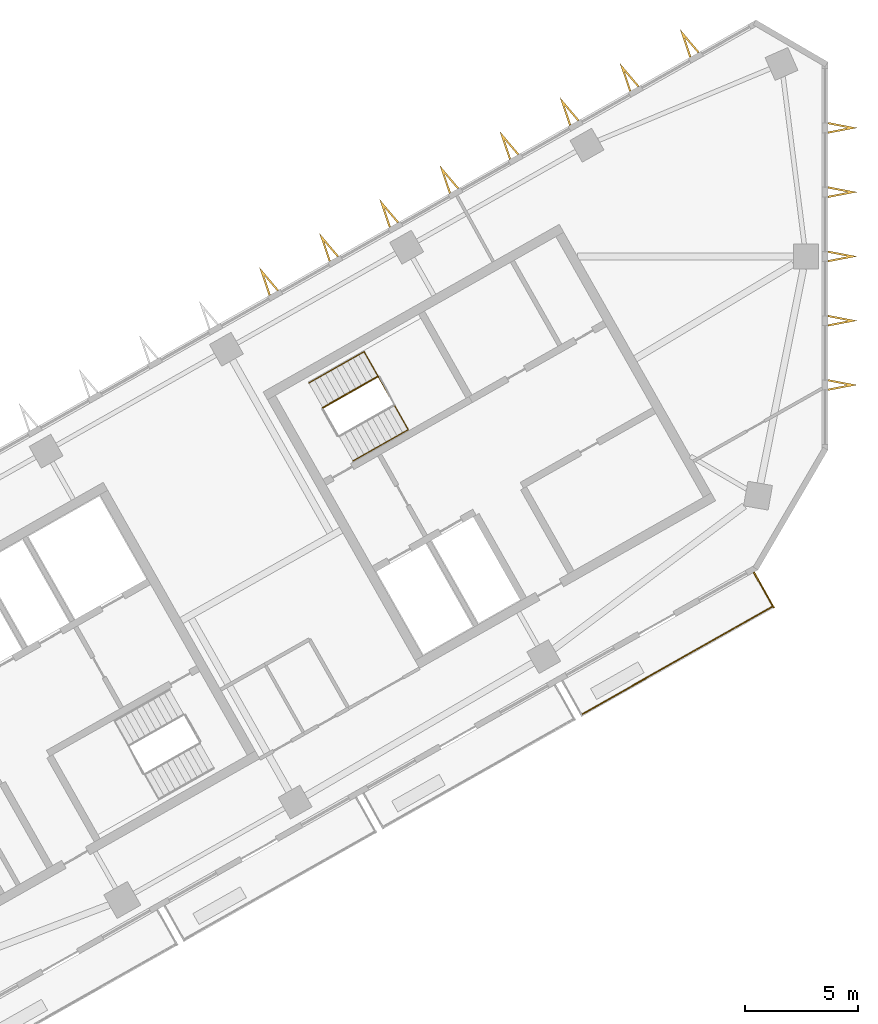
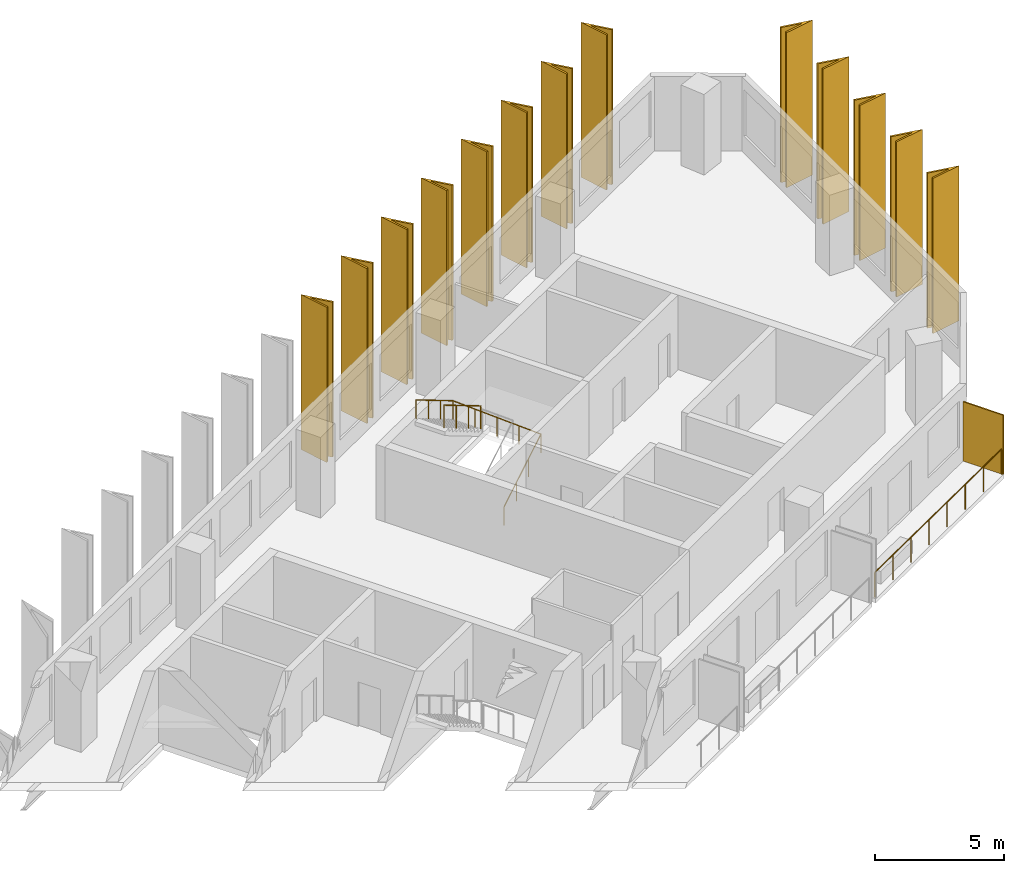
# One storey, part 7 of 8: 14 shading devices, 3 railings.
"""IFC4 building model written with IfcOpenShell, lengths in metres."""

from ifc_helpers import new_model, si_unit, direction, frame, origin, origin_2d, place, context, subcontext, project, spatial, polyline, rectangle, circle, outline, extrude, material, layer, layer_set, type_object, element, save


model = new_model("IFC4")

# Units and contexts
model_context = context("Model", 3, precision=1e-05, world=origin(), true_north=direction((0.0, 1.0)))
body_context = subcontext(model_context, "Body", "Model", "MODEL_VIEW")
ifc_project = project(units=[si_unit("LENGTHUNIT", "METRE"), si_unit("AREAUNIT", "SQUARE_METRE"), si_unit("VOLUMEUNIT", "CUBIC_METRE"), si_unit("PLANEANGLEUNIT", "RADIAN"), si_unit("MASSUNIT", "GRAM", prefix="KILO")], contexts=[model_context])

# Site, building, storey
site_placement = place(None, origin())
site = spatial("IfcSite", under=ifc_project, at=site_placement, CompositionType="ELEMENT")
building_placement = place(site_placement, origin())
building = spatial("IfcBuilding", under=site, at=building_placement, Name="Binnacle Exchange Tower", CompositionType="ELEMENT")
storey_placement = place(building_placement, frame((0.0, 0.0, 300.699951171875)))
storey = spatial("IfcBuildingStorey", under=building, at=storey_placement, Name="L67", CompositionType="ELEMENT", Elevation=300.699951171875)

# Railing
ifc_material_1 = material(Name="Bronze anodised aluminium frame", Category="aluminium")
railing_type_1 = type_object("IfcRailingType", Name="GUARD 1200", PredefinedType="GUARDRAIL", material=ifc_material_1)
railing_1_placement = place(storey_placement, frame((-10.7177734375, 39.81640625, 0.0)))
element("IfcRailing", 1, at=railing_1_placement, inside=storey, type_object=railing_type_1, Name="Balcony guard H07-B03 L67", PredefinedType="GUARDRAIL", context=body_context, shape_type="SweptSolid", body=[
    extrude(circle(Radius=0.02392578125, at=origin_2d()), frame((0.0, 0.0, 1.17578125), z_axis=(0.870353035673, 0.492428262079, 0.0), x_axis=(-0.492428262079, 0.870353035673, 0.0)), (0.0, 0.0, 1.0), 9.64794921875),
    extrude(circle(Radius=0.02099609375, at=origin_2d()), origin(), (0.0, 0.0, 1.0), 1.15185546875),
    extrude(circle(Radius=0.02099609375, at=origin_2d()), frame((1.19970703125, 0.6787109375, 0.0)), (0.0, 0.0, 1.0), 1.15185546875),
    extrude(circle(Radius=0.02099609375, at=origin_2d()), frame((2.399169921875, 1.357421875, 0.0)), (0.0, 0.0, 1.0), 1.15185546875),
    extrude(circle(Radius=0.02099609375, at=origin_2d()), frame((3.598876953125, 2.0361328125, 0.0)), (0.0, 0.0, 1.0), 1.15185546875),
    extrude(circle(Radius=0.02099609375, at=origin_2d()), frame((4.79833984375, 2.71484375, 0.0)), (0.0, 0.0, 1.0), 1.15185546875),
    extrude(circle(Radius=0.02099609375, at=origin_2d()), frame((5.998046875, 3.3935546875, 0.0)), (0.0, 0.0, 1.0), 1.15185546875),
    extrude(circle(Radius=0.02099609375, at=origin_2d()), frame((7.197509765625, 4.072265625, 0.0)), (0.0, 0.0, 1.0), 1.15185546875),
    extrude(circle(Radius=0.02099609375, at=origin_2d()), frame((8.397216796875, 4.7509765625, 0.0)), (0.0, 0.0, 1.0), 1.15185546875),
])

# Shading device
ifc_material_2 = material(Name="Bronze aluminium louvre", Category="aluminium")
ifc_layer = layer(ifc_material_2, 0.06005859375)
ifc_layer_set = layer_set([ifc_layer], Name="PLANTED SCREEN 60x2800")
shading_device_type_1 = type_object("IfcShadingDeviceType", Name="PLANTED SCREEN 60x2800", PredefinedType="USERDEFINED", material=ifc_layer_set)
shading_device_1_placement = place(storey_placement, frame((-2.697998046875, 45.2958984375, 0.0), z_axis=(0.0, 0.0, 1.0), x_axis=(0.87035569594, 0.492423560103, 0.0)))
element("IfcShadingDevice", 2, at=shading_device_1_placement, inside=storey, type_object=shading_device_type_1, Name="Planted screen H07-B03b L67", ObjectType="SCREEN", PredefinedType="USERDEFINED", context=body_context, shape_type="SweptSolid", body=[
    extrude(rectangle(XDim=0.06005859375, YDim=1.800048828125, at=origin_2d()), origin(), (0.0, 0.0, 1.0), 2.800048828125),
])

# Railings
ifc_material_3 = material(Name="Steel guard rail", Category="steel")
railing_type_2 = type_object("IfcRailingType", Name="STAIR GUARD 1100", PredefinedType="GUARDRAIL", material=ifc_material_3)
railing_2_placement = place(storey_placement, frame((-19.70068359375, 54.71337890625, 2.07275390625)))
element("IfcRailing", 3, at=railing_2_placement, inside=storey, type_object=railing_type_2, Name="L67 STC1 stair guard 2", PredefinedType="GUARDRAIL", context=body_context, shape_type="SweptSolid", body=[
    extrude(circle(Radius=0.02392578125, at=origin_2d()), frame((0.0, 0.0, 1.076171875), z_axis=(-0.740760999345, -0.419062048017, 0.525033467278), x_axis=(0.492387636113, -0.870376019777, 0.0)), (0.0, 0.0, 1.0), 3.289794921875),
    extrude(circle(Radius=0.02099609375, at=origin_2d()), origin(), (0.0, 0.0, 1.0), 1.052001953125),
    extrude(circle(Radius=0.02099609375, at=origin_2d()), frame((-0.812255859375, -0.45947265625, 0.57568359375)), (0.0, 0.0, 1.0), 1.052001953125),
    extrude(circle(Radius=0.02099609375, at=origin_2d()), frame((-1.624755859375, -0.919189453125, 1.151611328125)), (0.0, 0.0, 1.0), 1.052001953125),
    extrude(circle(Radius=0.02099609375, at=origin_2d()), frame((-2.43701171875, -1.378662109375, 1.727294921875)), (0.0, 0.0, 1.0), 1.052001953125),
])
ifc_material_4 = material(Name="Steel handrail", Category="steel")
railing_type_3 = type_object("IfcRailingType", Name="STAIR HANDRAIL 900", PredefinedType="HANDRAIL", material=ifc_material_4)
railing_3_placement = place(storey_placement, frame((-20.808349609375, 50.984619140625, 0.1728515625)))
element("IfcRailing", 4, at=railing_3_placement, inside=storey, type_object=railing_type_3, Name="L67 STC1 stair handrail 1", PredefinedType="HANDRAIL", context=body_context, shape_type="SweptSolid", body=[
    extrude(circle(Radius=0.02392578125, at=origin_2d()), frame((0.0, 0.0, 0.8759765625), z_axis=(0.740737961854, 0.419123222656, 0.525017138862), x_axis=(-0.492453686477, 0.870338650569, 0.0)), (0.0, 0.0, 1.0), 3.2900390625),
    extrude(circle(Radius=0.02392578125, at=origin_2d()), frame((2.43701171875, 1.37890625, 2.60302734375), z_axis=(-0.49197058795, 0.869516486623, 0.043657989918), x_axis=(-0.87034633103, -0.492440112159, 0.0)), (0.0, 0.0, 1.0), 3.95361328125),
    extrude(circle(Radius=0.02392578125, at=origin_2d()), frame((0.491943359375, 4.816650390625, 2.77587890625), z_axis=(-0.740760999345, -0.419062048017, 0.525033467278), x_axis=(0.492387636113, -0.870376019777, 0.0)), (0.0, 0.0, 1.0), 3.289794921875),
    extrude(circle(Radius=0.02099609375, at=origin_2d()), origin(), (0.0, 0.0, 1.0), 0.851806640625),
    extrude(circle(Radius=0.02099609375, at=origin_2d()), frame((0.812255859375, 0.459716796875, 0.57568359375)), (0.0, 0.0, 1.0), 0.851806640625),
    extrude(circle(Radius=0.02099609375, at=origin_2d()), frame((1.624755859375, 0.919189453125, 1.151611328125)), (0.0, 0.0, 1.0), 0.851806640625),
    extrude(circle(Radius=0.02099609375, at=origin_2d()), frame((2.43701171875, 1.37890625, 1.727294921875)), (0.0, 0.0, 1.0), 0.851806640625),
    extrude(circle(Radius=0.02099609375, at=origin_2d()), frame((1.95068359375, 2.23828125, 1.7705078125)), (0.0, 0.0, 1.0), 0.851806640625),
    extrude(circle(Radius=0.02099609375, at=origin_2d()), frame((1.46435546875, 3.09765625, 1.8134765625)), (0.0, 0.0, 1.0), 0.851806640625),
    extrude(circle(Radius=0.02099609375, at=origin_2d()), frame((0.978271484375, 3.957275390625, 1.856689453125)), (0.0, 0.0, 1.0), 0.851806640625),
    extrude(circle(Radius=0.02099609375, at=origin_2d()), frame((0.491943359375, 4.816650390625, 1.89990234375)), (0.0, 0.0, 1.0), 0.851806640625),
    extrude(circle(Radius=0.02099609375, at=origin_2d()), frame((-0.3203125, 4.357177734375, 2.4755859375)), (0.0, 0.0, 1.0), 0.851806640625),
    extrude(circle(Radius=0.02099609375, at=origin_2d()), frame((-1.1328125, 3.8974609375, 3.051513671875)), (0.0, 0.0, 1.0), 0.851806640625),
    extrude(circle(Radius=0.02099609375, at=origin_2d()), frame((-1.945068359375, 3.43798828125, 3.627197265625)), (0.0, 0.0, 1.0), 0.851806640625),
])

# Shading devices
ifc_material_5 = material(Name="Bronze aluminium cladding", Category="aluminium")
shading_device_type_2 = type_object("IfcShadingDeviceType", Name="V FIN 1300 DEEP x 7320 HIGH", PredefinedType="USERDEFINED", material=ifc_material_5)
shading_device_2_placement = place(storey_placement, origin())
element("IfcShadingDevice", 5, at=shading_device_2_placement, inside=storey, type_object=shading_device_type_2, Name="V fin FN-H01-01 L67", ObjectType="FIN", PredefinedType="USERDEFINED", context=body_context, shape_type="SweptSolid", body=[
    extrude(outline(polyline([(0.125, 54.083251953125), (1.425048828125, 54.333251953125), (0.125, 54.583251953125), (0.125, 54.501708984375), (1.00146484375, 54.333251953125), (0.125, 54.164794921875), (0.125, 54.083251953125)])), origin(), (0.0, 0.0, 1.0), 7.320068359375),
])
shading_device_3_placement = place(storey_placement, origin())
element("IfcShadingDevice", 6, at=shading_device_3_placement, inside=storey, type_object=shading_device_type_2, Name="V fin FN-H01-02 L67", ObjectType="FIN", PredefinedType="USERDEFINED", context=body_context, shape_type="SweptSolid", body=[
    extrude(outline(polyline([(0.125, 56.916748046875), (1.425048828125, 57.166748046875), (0.125, 57.416748046875), (0.125, 57.335205078125), (1.00146484375, 57.166748046875), (0.125, 56.998291015625), (0.125, 56.916748046875)])), origin(), (0.0, 0.0, 1.0), 7.320068359375),
])
shading_device_4_placement = place(storey_placement, origin())
element("IfcShadingDevice", 7, at=shading_device_4_placement, inside=storey, type_object=shading_device_type_2, Name="V fin FN-H01-03 L67", ObjectType="FIN", PredefinedType="USERDEFINED", context=body_context, shape_type="SweptSolid", body=[
    extrude(outline(polyline([(0.125, 59.75), (1.425048828125, 60.0), (0.125, 60.25), (0.125, 60.16845703125), (1.00146484375, 60.0), (0.125, 59.83154296875), (0.125, 59.75)])), origin(), (0.0, 0.0, 1.0), 7.320068359375),
])
shading_device_5_placement = place(storey_placement, origin())
element("IfcShadingDevice", 8, at=shading_device_5_placement, inside=storey, type_object=shading_device_type_2, Name="V fin FN-H01-04 L67", ObjectType="FIN", PredefinedType="USERDEFINED", context=body_context, shape_type="SweptSolid", body=[
    extrude(outline(polyline([(0.125, 62.583251953125), (1.425048828125, 62.833251953125), (0.125, 63.083251953125), (0.125, 63.001708984375), (1.00146484375, 62.833251953125), (0.125, 62.664794921875), (0.125, 62.583251953125)])), origin(), (0.0, 0.0, 1.0), 7.320068359375),
])
shading_device_6_placement = place(storey_placement, origin())
element("IfcShadingDevice", 9, at=shading_device_6_placement, inside=storey, type_object=shading_device_type_2, Name="V fin FN-H01-05 L67", ObjectType="FIN", PredefinedType="USERDEFINED", context=body_context, shape_type="SweptSolid", body=[
    extrude(outline(polyline([(0.125, 65.416748046875), (1.425048828125, 65.666748046875), (0.125, 65.916748046875), (0.125, 65.835205078125), (1.00146484375, 65.666748046875), (0.125, 65.498291015625), (0.125, 65.416748046875)])), origin(), (0.0, 0.0, 1.0), 7.320068359375),
])
shading_device_7_placement = place(storey_placement, origin())
element("IfcShadingDevice", 10, at=shading_device_7_placement, inside=storey, type_object=shading_device_type_2, Name="V fin FN-H03-01 L67", ObjectType="FIN", PredefinedType="USERDEFINED", context=body_context, shape_type="SweptSolid", body=[
    extrude(outline(polyline([(-5.538818359375, 69.009765625), (-6.396728515625, 70.018310546875), (-5.97412109375, 68.763671875), (-5.9033203125, 68.8037109375), (-6.18798828125, 69.6494140625), (-5.60986328125, 68.9697265625), (-5.538818359375, 69.009765625)])), origin(), (0.0, 0.0, 1.0), 7.320068359375),
])
shading_device_8_placement = place(storey_placement, origin())
element("IfcShadingDevice", 11, at=shading_device_8_placement, inside=storey, type_object=shading_device_type_2, Name="V fin FN-H03-02 L67", ObjectType="FIN", PredefinedType="USERDEFINED", context=body_context, shape_type="SweptSolid", body=[
    extrude(outline(polyline([(-8.187744140625, 67.51123046875), (-9.04541015625, 68.51953125), (-8.622802734375, 67.264892578125), (-8.552001953125, 67.30517578125), (-8.8369140625, 68.15087890625), (-8.258544921875, 67.47119140625), (-8.187744140625, 67.51123046875)])), origin(), (0.0, 0.0, 1.0), 7.320068359375),
])
shading_device_9_placement = place(storey_placement, origin())
element("IfcShadingDevice", 12, at=shading_device_9_placement, inside=storey, type_object=shading_device_type_2, Name="V fin FN-H03-03 L67", ObjectType="FIN", PredefinedType="USERDEFINED", context=body_context, shape_type="SweptSolid", body=[
    extrude(outline(polyline([(-10.83642578125, 66.0126953125), (-11.694091796875, 67.02099609375), (-11.271484375, 65.766357421875), (-11.20068359375, 65.806396484375), (-11.485595703125, 66.65234375), (-10.9072265625, 65.972412109375), (-10.83642578125, 66.0126953125)])), origin(), (0.0, 0.0, 1.0), 7.320068359375),
])
shading_device_10_placement = place(storey_placement, origin())
element("IfcShadingDevice", 13, at=shading_device_10_placement, inside=storey, type_object=shading_device_type_2, Name="V fin FN-H03-04 L67", ObjectType="FIN", PredefinedType="USERDEFINED", context=body_context, shape_type="SweptSolid", body=[
    extrude(outline(polyline([(-13.485107421875, 64.51416015625), (-14.343017578125, 65.5224609375), (-13.92041015625, 64.267822265625), (-13.849365234375, 64.30810546875), (-14.13427734375, 65.15380859375), (-13.555908203125, 64.47412109375), (-13.485107421875, 64.51416015625)])), origin(), (0.0, 0.0, 1.0), 7.320068359375),
])
shading_device_11_placement = place(storey_placement, origin())
element("IfcShadingDevice", 14, at=shading_device_11_placement, inside=storey, type_object=shading_device_type_2, Name="V fin FN-H03-05 L67", ObjectType="FIN", PredefinedType="USERDEFINED", context=body_context, shape_type="SweptSolid", body=[
    extrude(outline(polyline([(-16.1337890625, 63.015380859375), (-16.99169921875, 64.02392578125), (-16.569091796875, 62.769287109375), (-16.498046875, 62.809326171875), (-16.782958984375, 63.6552734375), (-16.20458984375, 62.975341796875), (-16.1337890625, 63.015380859375)])), origin(), (0.0, 0.0, 1.0), 7.320068359375),
])
shading_device_12_placement = place(storey_placement, origin())
element("IfcShadingDevice", 15, at=shading_device_12_placement, inside=storey, type_object=shading_device_type_2, Name="V fin FN-H03-06 L67", ObjectType="FIN", PredefinedType="USERDEFINED", context=body_context, shape_type="SweptSolid", body=[
    extrude(outline(polyline([(-18.78271484375, 61.516845703125), (-19.640380859375, 62.525390625), (-19.2177734375, 61.270751953125), (-19.14697265625, 61.310791015625), (-19.431640625, 62.156494140625), (-18.853515625, 61.476806640625), (-18.78271484375, 61.516845703125)])), origin(), (0.0, 0.0, 1.0), 7.320068359375),
])
shading_device_13_placement = place(storey_placement, origin())
element("IfcShadingDevice", 16, at=shading_device_13_placement, inside=storey, type_object=shading_device_type_2, Name="V fin FN-H03-07 L67", ObjectType="FIN", PredefinedType="USERDEFINED", context=body_context, shape_type="SweptSolid", body=[
    extrude(outline(polyline([(-21.431396484375, 60.018310546875), (-22.2890625, 61.026611328125), (-21.866455078125, 59.772216796875), (-21.795654296875, 59.812255859375), (-22.080322265625, 60.657958984375), (-21.502197265625, 59.978271484375), (-21.431396484375, 60.018310546875)])), origin(), (0.0, 0.0, 1.0), 7.320068359375),
])
shading_device_14_placement = place(storey_placement, origin())
element("IfcShadingDevice", 17, at=shading_device_14_placement, inside=storey, type_object=shading_device_type_2, Name="V fin FN-H03-08 L67", ObjectType="FIN", PredefinedType="USERDEFINED", context=body_context, shape_type="SweptSolid", body=[
    extrude(outline(polyline([(-24.080078125, 58.519775390625), (-24.93798828125, 59.528076171875), (-24.515380859375, 58.2734375), (-24.4443359375, 58.313720703125), (-24.729248046875, 59.159423828125), (-24.15087890625, 58.4794921875), (-24.080078125, 58.519775390625)])), origin(), (0.0, 0.0, 1.0), 7.320068359375),
])

save(model, "model.ifc")
